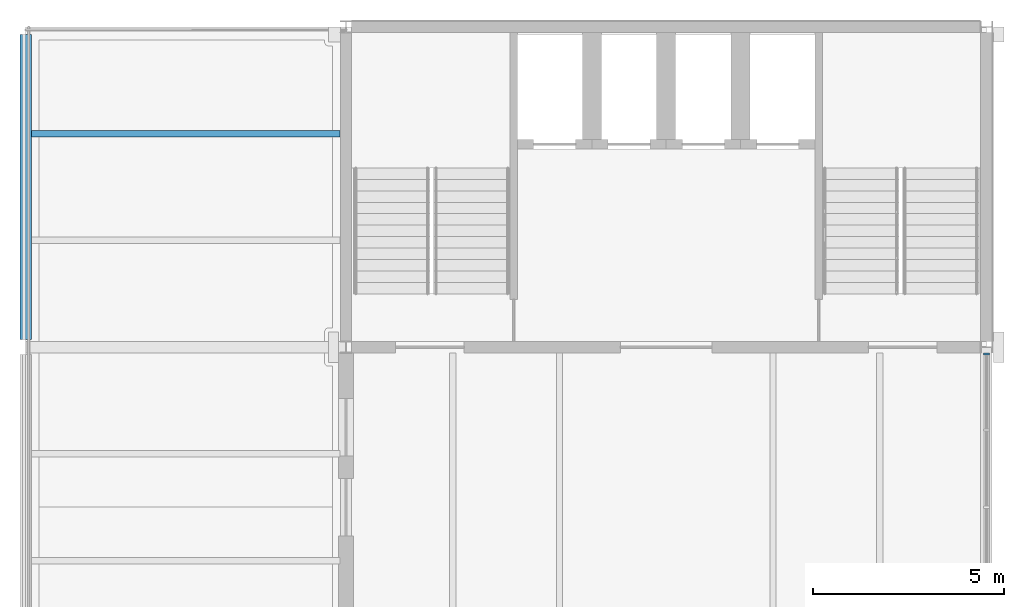
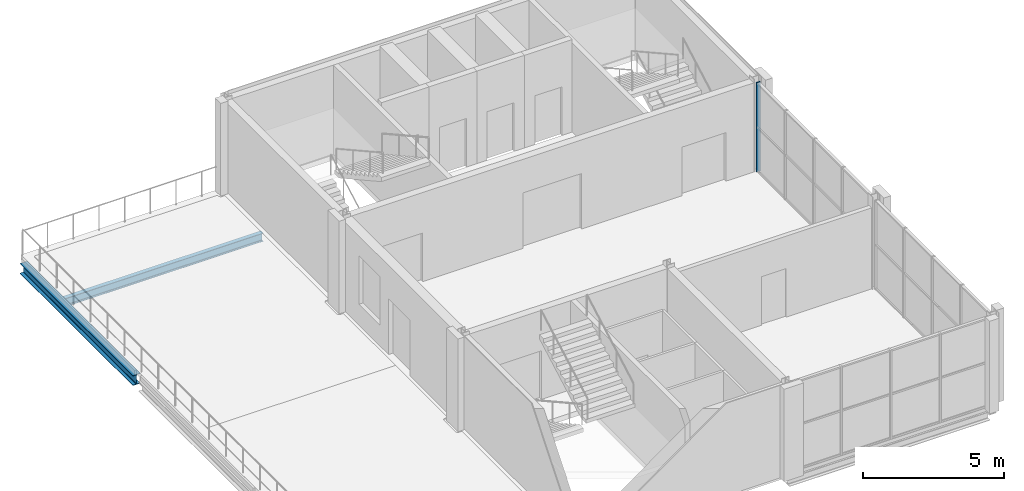
# One storey, part 3 of 6: 2 beams, 1 member, 1 element without a shape of its own.
"""IFC4 building model written with IfcOpenShell, lengths in metres."""

from ifc_helpers import new_model, si_unit, direction, frame, origin, origin_2d, place, context, subcontext, project, spatial, rectangle, i_section, extrude, material, layer, layer_set, material_profile, profile_set, type_object, element, aggregate, save


model = new_model("IFC4")

# Units and contexts
model_context = context("Model", 3, precision=1e-05, world=origin(), true_north=direction((0.0, 1.0)))
body_context = subcontext(model_context, "Body", "Model", "MODEL_VIEW")
ifc_project = project(units=[si_unit("LENGTHUNIT", "METRE"), si_unit("AREAUNIT", "SQUARE_METRE"), si_unit("VOLUMEUNIT", "CUBIC_METRE"), si_unit("PLANEANGLEUNIT", "RADIAN"), si_unit("MASSUNIT", "GRAM", prefix="KILO")], contexts=[model_context])

# Site, building, storey
site_placement = place(None, origin())
site = spatial("IfcSite", under=ifc_project, at=site_placement, CompositionType="ELEMENT")
building_placement = place(site_placement, origin())
building = spatial("IfcBuilding", under=site, at=building_placement, Name="Galleria Vessillo Department Store", CompositionType="ELEMENT")
storey_placement = place(building_placement, frame((0.0, 0.0, 59.60009765625)))
storey = spatial("IfcBuildingStorey", under=building, at=storey_placement, Name="L13", CompositionType="ELEMENT", Elevation=59.60009765625)

# Curtain wall, member
ifc_material_1 = material(Name="Aluminium and glass curtain wall", Category="aluminium")
ifc_layer = layer(ifc_material_1, 0.159912109375)
ifc_layer_set = layer_set([ifc_layer], Name="Aluminium and glass curtain wall")
curtain_wall_type = type_object("IfcCurtainWallType", Name="Tower curtain wall CW4 2100 module", PredefinedType="NOTDEFINED", material=ifc_layer_set)
curtain_wall_placement = place(storey_placement, origin())
curtain_wall = element("IfcCurtainWall", 1, at=curtain_wall_placement, inside=storey, type_object=curtain_wall_type, Name="Tower curtain wall CW4 2100 module TE-L13-02", PredefinedType="NOTDEFINED")
ifc_material_2 = material(Name="Aluminium alloy 6063 T6", Category="aluminium")
ifc_material_profile_1 = material_profile(ifc_material_2, rectangle(XDim=0.159912109375, YDim=0.06005859375, at=origin_2d()), Name="AL 60x160")
ifc_profile_set_1 = profile_set([ifc_material_profile_1], Name="Aluminium alloy 6063 T6")
member_type = type_object("IfcMemberType", Name="Aluminium mullion 60 x 160", PredefinedType="MULLION", material=ifc_profile_set_1)
member_placement = place(storey_placement, frame((117.60009765625, 54.420166015625, 0.0), z_axis=(0.0, 0.0, 1.0), x_axis=(-1.0, 0.0, 0.0)))
member = element("IfcMember", 2, at=member_placement, type_object=member_type, Name="CW4 mullion 5", PredefinedType="MULLION", context=body_context, shape_type="SweptSolid", body=[
    extrude(rectangle(XDim=0.159912109375, YDim=0.06005859375, at=origin_2d()), origin(), (0.0, 0.0, 1.0), 3.85009765625),
])
aggregate(curtain_wall, [member])

# Beams
ifc_material_3 = material(Name="Steel S355 J2", Category="steel")
ifc_material_profile_2 = material_profile(ifc_material_3, i_section(OverallWidth=0.169921875, OverallDepth=0.360107421875, WebThickness=0.008056640625, FlangeThickness=0.0126953125, FilletRadius=0.01806640625, at=origin_2d()), Name="IPE 360")
ifc_profile_set_2 = profile_set([ifc_material_profile_2], Name="Steel S355 J2")
beam_type_1 = type_object("IfcBeamType", Name="Floor joist IPE 360", PredefinedType="JOIST", material=ifc_profile_set_2)
beam_1_placement = place(storey_placement, frame((92.550048828125, 60.199951171875, -0.3798828125), z_axis=(1.0, 0.0, 0.0), x_axis=(0.0, 1.0, 0.0)))
element("IfcBeam", 3, at=beam_1_placement, inside=storey, type_object=beam_type_1, Name="S-BM-L13-JO-x60200-92550", PredefinedType="JOIST", context=body_context, shape_type="SweptSolid", body=[
    extrude(i_section(OverallWidth=0.169921875, OverallDepth=0.360107421875, WebThickness=0.008056640625, FlangeThickness=0.0126953125, FilletRadius=0.01806640625, at=origin_2d()), origin(), (0.0, 0.0, 1.0), 8.099853515625),
])
ifc_material_4 = material(Name="Steel S355 J2", Category="steel")
ifc_material_profile_3 = material_profile(ifc_material_4, i_section(OverallWidth=0.300048828125, OverallDepth=0.43994140625, WebThickness=0.011474609375, FlangeThickness=0.02099609375, FilletRadius=0.027099609375, at=origin_2d()), Name="HEA 450")
ifc_profile_set_3 = profile_set([ifc_material_profile_3], Name="Steel S355 J2")
beam_type_2 = type_object("IfcBeamType", Name="Trimmer beam HEA 450", PredefinedType="BEAM", material=ifc_profile_set_3)
beam_2_placement = place(storey_placement, frame((92.39990234375, 54.800048828125, -0.419921875), z_axis=(0.0, 1.0, 0.0), x_axis=(-1.0, 0.0, 0.0)))
element("IfcBeam", 4, at=beam_2_placement, inside=storey, type_object=beam_type_2, Name="S-BM-L13-TR-y92400-54800", PredefinedType="BEAM", context=body_context, shape_type="SweptSolid", body=[
    extrude(i_section(OverallWidth=0.300048828125, OverallDepth=0.43994140625, WebThickness=0.011474609375, FlangeThickness=0.02099609375, FilletRadius=0.027099609375, at=origin_2d()), origin(), (0.0, 0.0, 1.0), 7.999755859375),
])

save(model, "model.ifc")
